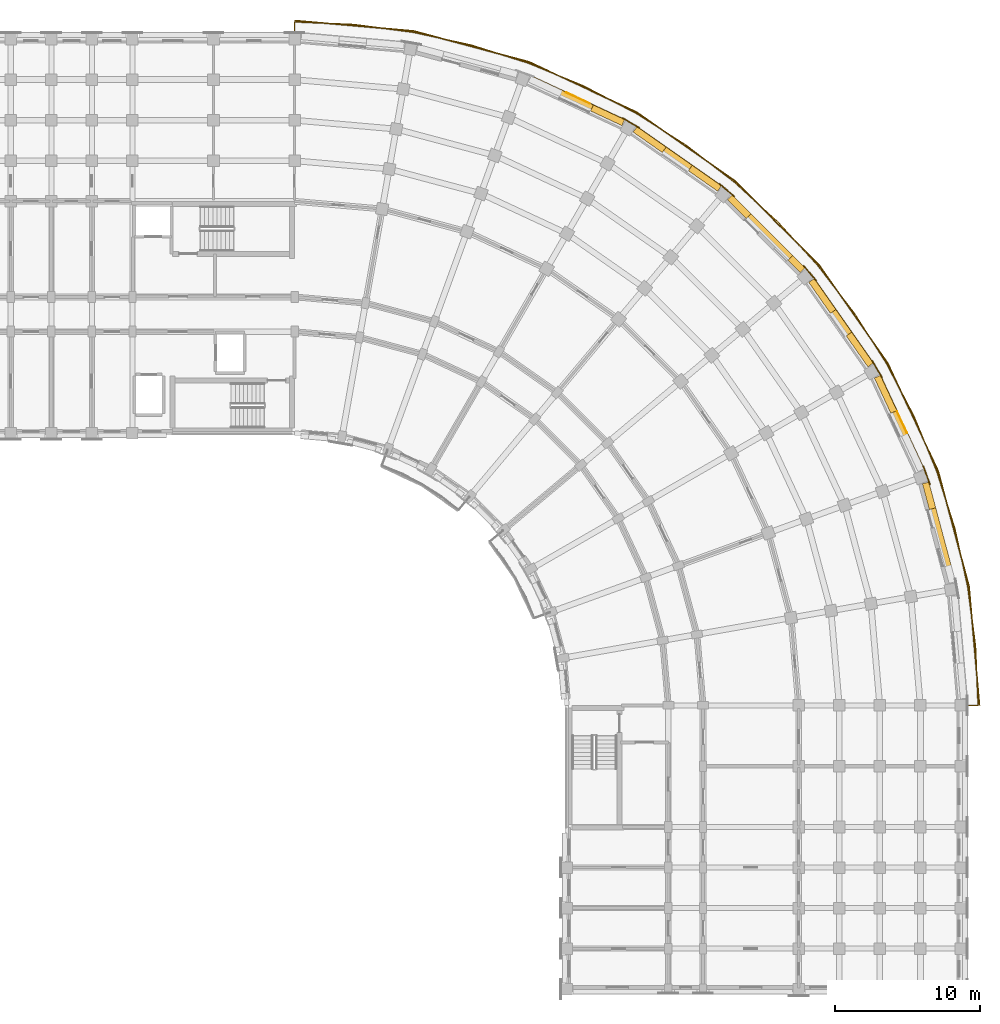
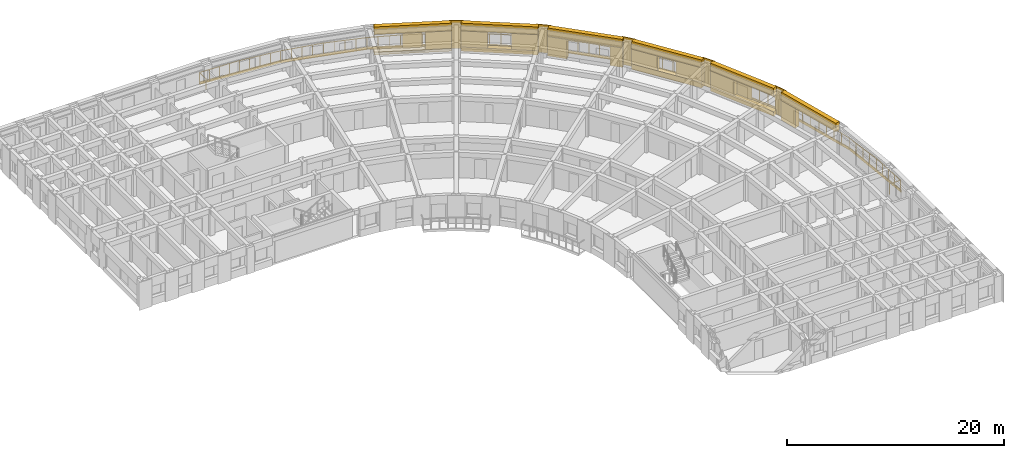
# One storey, part 73 of 76: 25 coverings, 2 shading devices, 1 railing.
"""IFC4 building model written with IfcOpenShell, lengths in metres."""

from ifc_helpers import new_model, si_unit, direction, frame, origin, origin_2d, place, context, subcontext, project, spatial, polyline, rectangle, circle, outline, extrude, material, layer, layer_set, type_object, element, save


model = new_model("IFC4")

# Units and contexts
model_context = context("Model", 3, precision=1e-05, world=origin(), true_north=direction((0.0, 1.0)))
body_context = subcontext(model_context, "Body", "Model", "MODEL_VIEW")
ifc_project = project(units=[si_unit("LENGTHUNIT", "METRE"), si_unit("AREAUNIT", "SQUARE_METRE"), si_unit("VOLUMEUNIT", "CUBIC_METRE"), si_unit("PLANEANGLEUNIT", "RADIAN"), si_unit("MASSUNIT", "GRAM", prefix="KILO")], contexts=[model_context])

# Site, building, storey
site_placement = place(None, origin())
site = spatial("IfcSite", under=ifc_project, at=site_placement, CompositionType="ELEMENT")
building_placement = place(site_placement, origin())
building = spatial("IfcBuilding", under=site, at=building_placement, Name="Kiranvali Square Residences", CompositionType="ELEMENT")
storey_placement = place(building_placement, frame((0.0, 0.0, 8.699951171875)))
storey = spatial("IfcBuildingStorey", under=building, at=storey_placement, Name="L02", CompositionType="ELEMENT", Elevation=8.699951171875)

# Coverings
ifc_material_1 = material(Name="Carved Porbandar limestone classical entablature and cornice", Category="masonry")
ifc_layer_1 = layer(ifc_material_1, 0.072021484375)
ifc_layer_set_1 = layer_set([ifc_layer_1], Name="Carved Porbandar limestone classical entablature and cornice")
covering_type_1 = type_object("IfcCoveringType", Name="COV-CLAD-BAL", PredefinedType="CLADDING", material=ifc_layer_set_1)
covering_1_placement = place(storey_placement, frame((0.0, 0.0, -0.239990234375)))
element("IfcCovering", 1, at=covering_1_placement, inside=storey, type_object=covering_type_1, Name="Block B L02 continuous curved limestone balcony fascia", PredefinedType="CLADDING", context=body_context, shape_type="SweptSolid", body=[
    extrude(outline(polyline([(119.800048828125, 135.052001953125), (128.005126953125, 134.334228515625), (135.961181640625, 132.202392578125), (143.426025390625, 128.721435546875), (150.173095703125, 123.9970703125), (155.9970703125, 118.173095703125), (160.721435546875, 111.426025390625), (164.202392578125, 103.961181640625), (166.334228515625, 96.005126953125), (167.052001953125, 87.800048828125), (167.117919921875, 87.800048828125), (166.399169921875, 96.0166015625), (164.264404296875, 103.983642578125), (160.778564453125, 111.458984375), (156.047607421875, 118.21533203125), (150.21533203125, 124.047607421875), (143.458984375, 128.778564453125), (135.983642578125, 132.264404296875), (128.0166015625, 134.399169921875), (119.800048828125, 135.117919921875), (119.800048828125, 135.052001953125)])), origin(), (0.0, 0.0, 1.0), 0.300048828125),
])
ifc_material_2 = material(Name="Honed Porbandar limestone ashlar facade cladding", Category="masonry")
ifc_layer_2 = layer(ifc_material_2, 0.3798828125)
ifc_layer_set_2 = layer_set([ifc_layer_2], Name="Honed Porbandar limestone ashlar facade cladding")
covering_type_2 = type_object("IfcCoveringType", Name="COV-CLAD-JAMB", PredefinedType="CLADDING", material=ifc_layer_set_2)
covering_2_placement = place(storey_placement, frame((0.0, 0.0, 0.322021484375)))
element("IfcCovering", 2, at=covering_2_placement, inside=storey, type_object=covering_type_2, Name="L02 deep limestone window jamb reveal B-L02-CRV-02.R", PredefinedType="CLADDING", context=body_context, shape_type="SweptSolid", body=[
    extrude(outline(polyline([(140.231689453125, 128.83544921875), (142.392333984375, 127.827880859375), (142.586669921875, 128.244140625), (140.42578125, 129.251953125), (140.231689453125, 128.83544921875)])), origin(), (0.0, 0.0, 1.0), 1.949951171875),
])
covering_3_placement = place(storey_placement, frame((0.0, 0.0, 0.47216796875)))
element("IfcCovering", 3, at=covering_3_placement, inside=storey, type_object=covering_type_2, Name="L02 deep limestone window jamb reveal B-L02-CRV-03.L", PredefinedType="CLADDING", context=body_context, shape_type="SweptSolid", body=[
    extrude(outline(polyline([(143.1689453125, 127.37939453125), (145.183349609375, 125.968994140625), (145.44677734375, 126.345458984375), (143.432373046875, 127.755859375), (143.1689453125, 127.37939453125)])), origin(), (0.0, 0.0, 1.0), 1.7998046875),
])
covering_4_placement = place(storey_placement, frame((0.0, 0.0, 0.47216796875)))
element("IfcCovering", 4, at=covering_4_placement, inside=storey, type_object=covering_type_2, Name="L02 deep limestone window jamb reveal B-L02-CRV-03.R", PredefinedType="CLADDING", context=body_context, shape_type="SweptSolid", body=[
    extrude(outline(polyline([(146.9853515625, 124.70703125), (149.0, 123.296630859375), (149.263427734375, 123.6728515625), (147.2490234375, 125.08349609375), (146.9853515625, 124.70703125)])), origin(), (0.0, 0.0, 1.0), 1.7998046875),
])
covering_5_placement = place(storey_placement, origin())
element("IfcCovering", 5, at=covering_5_placement, inside=storey, type_object=covering_type_2, Name="L02 deep limestone window jamb reveal B-L02-CRV-04.L", PredefinedType="CLADDING", context=body_context, shape_type="SweptSolid", body=[
    extrude(outline(polyline([(149.686767578125, 122.72021484375), (150.98876953125, 121.418212890625), (151.313720703125, 121.742919921875), (150.01171875, 123.045166015625), (149.686767578125, 122.72021484375)])), origin(), (0.0, 0.0, 1.0), 2.179931640625),
])
covering_6_placement = place(storey_placement, origin())
element("IfcCovering", 6, at=covering_6_placement, inside=storey, type_object=covering_type_2, Name="L02 deep limestone window jamb reveal B-L02-CRV-04.R", PredefinedType="CLADDING", context=body_context, shape_type="SweptSolid", body=[
    extrude(outline(polyline([(153.87109375, 118.535888671875), (154.72021484375, 117.686767578125), (155.045166015625, 118.01171875), (154.196044921875, 118.86083984375), (153.87109375, 118.535888671875)])), origin(), (0.0, 0.0, 1.0), 2.179931640625),
])
covering_7_placement = place(storey_placement, frame((0.0, 0.0, 0.6220703125)))
element("IfcCovering", 7, at=covering_7_placement, inside=storey, type_object=covering_type_2, Name="L02 deep limestone window jamb reveal B-L02-CRV-05.L", PredefinedType="CLADDING", context=body_context, shape_type="SweptSolid", body=[
    extrude(outline(polyline([(155.296630859375, 117.0), (156.793212890625, 114.862548828125), (157.16943359375, 115.126220703125), (155.6728515625, 117.263427734375), (155.296630859375, 117.0)])), origin(), (0.0, 0.0, 1.0), 1.64990234375),
])
covering_8_placement = place(storey_placement, frame((0.0, 0.0, 0.6220703125)))
element("IfcCovering", 8, at=covering_8_placement, inside=storey, type_object=covering_type_2, Name="L02 deep limestone window jamb reveal B-L02-CRV-05.R", PredefinedType="CLADDING", context=body_context, shape_type="SweptSolid", body=[
    extrude(outline(polyline([(157.8828125, 113.30615234375), (159.37939453125, 111.1689453125), (159.755859375, 111.432373046875), (158.25927734375, 113.56982421875), (157.8828125, 113.30615234375)])), origin(), (0.0, 0.0, 1.0), 1.64990234375),
])
covering_9_placement = place(storey_placement, frame((0.0, 0.0, 0.52197265625)))
element("IfcCovering", 9, at=covering_9_placement, inside=storey, type_object=covering_type_2, Name="L02 deep limestone window jamb reveal B-L02-CRV-06.L", PredefinedType="CLADDING", context=body_context, shape_type="SweptSolid", body=[
    extrude(outline(polyline([(159.827880859375, 110.392333984375), (160.962158203125, 107.959716796875), (161.378662109375, 108.15380859375), (160.244140625, 110.586669921875), (159.827880859375, 110.392333984375)])), origin(), (0.0, 0.0, 1.0), 1.75),
])
covering_10_placement = place(storey_placement, origin())
element("IfcCovering", 10, at=covering_10_placement, inside=storey, type_object=covering_type_2, Name="L02 deep limestone window jamb reveal B-L02-CRV-07.L", PredefinedType="CLADDING", context=body_context, shape_type="SweptSolid", body=[
    extrude(outline(polyline([(163.142822265625, 103.098388671875), (163.619384765625, 101.31982421875), (164.063232421875, 101.438720703125), (163.586669921875, 103.21728515625), (163.142822265625, 103.098388671875)])), origin(), (0.0, 0.0, 1.0), 2.179931640625),
])
ifc_layer_3 = layer(ifc_material_2, 0.06494140625)
ifc_layer_set_3 = layer_set([ifc_layer_3], Name="Honed Porbandar limestone ashlar facade cladding")
covering_type_3 = type_object("IfcCoveringType", Name="COV-CLAD-PIER", PredefinedType="CLADDING", material=ifc_layer_set_3)
covering_11_placement = place(storey_placement, frame((0.0, 0.0, 0.005126953125)))
element("IfcCovering", 11, at=covering_11_placement, inside=storey, type_object=covering_type_3, Name="L02 Classical limestone corner pilaster CLAD-PR-B-L02-A03", PredefinedType="CLADDING", context=body_context, shape_type="SweptSolid", body=[
    extrude(outline(polyline([(143.622802734375, 127.702392578125), (142.445068359375, 128.382568359375), (142.411376953125, 128.323974609375), (143.589111328125, 127.64404296875), (143.622802734375, 127.702392578125)])), origin(), (0.0, 0.0, 1.0), 3.139892578125),
])
covering_12_placement = place(storey_placement, frame((0.0, 0.0, 0.005126953125)))
element("IfcCovering", 12, at=covering_12_placement, inside=storey, type_object=covering_type_3, Name="L02 Classical limestone corner pilaster CLAD-PR-B-L02-A04", PredefinedType="CLADDING", context=body_context, shape_type="SweptSolid", body=[
    extrude(outline(polyline([(150.18994140625, 122.95947265625), (149.148193359375, 123.833740234375), (149.104736328125, 123.781982421875), (150.146484375, 122.90771484375), (150.18994140625, 122.95947265625)])), origin(), (0.0, 0.0, 1.0), 3.139892578125),
])
covering_13_placement = place(storey_placement, frame((0.0, 0.0, 0.005126953125)))
element("IfcCovering", 13, at=covering_13_placement, inside=storey, type_object=covering_type_3, Name="L02 Classical limestone corner pilaster CLAD-PR-B-L02-A05", PredefinedType="CLADDING", context=body_context, shape_type="SweptSolid", body=[
    extrude(outline(polyline([(155.833740234375, 117.148193359375), (154.95947265625, 118.18994140625), (154.90771484375, 118.146484375), (155.781982421875, 117.104736328125), (155.833740234375, 117.148193359375)])), origin(), (0.0, 0.0, 1.0), 3.139892578125),
])
covering_14_placement = place(storey_placement, frame((0.0, 0.0, 0.005126953125)))
element("IfcCovering", 14, at=covering_14_placement, inside=storey, type_object=covering_type_3, Name="L02 Classical limestone corner pilaster CLAD-PR-B-L02-A06", PredefinedType="CLADDING", context=body_context, shape_type="SweptSolid", body=[
    extrude(outline(polyline([(160.382568359375, 110.445068359375), (159.702392578125, 111.622802734375), (159.64404296875, 111.589111328125), (160.323974609375, 110.411376953125), (160.382568359375, 110.445068359375)])), origin(), (0.0, 0.0, 1.0), 3.139892578125),
])
covering_15_placement = place(storey_placement, frame((0.0, 0.0, 0.005126953125)))
element("IfcCovering", 15, at=covering_15_placement, inside=storey, type_object=covering_type_3, Name="L02 Classical limestone corner pilaster CLAD-PR-B-L02-A07", PredefinedType="CLADDING", context=body_context, shape_type="SweptSolid", body=[
    extrude(outline(polyline([(163.6982421875, 103.053955078125), (163.233154296875, 104.33203125), (163.169677734375, 104.308837890625), (163.634765625, 103.031005859375), (163.6982421875, 103.053955078125)])), origin(), (0.0, 0.0, 1.0), 3.139892578125),
])
ifc_layer_4 = layer(ifc_material_2, 0.360107421875)
ifc_layer_set_4 = layer_set([ifc_layer_4], Name="Honed Porbandar limestone ashlar facade cladding")
covering_type_4 = type_object("IfcCoveringType", Name="COV-CLAD-WALL", PredefinedType="CLADDING", material=ifc_layer_set_4)
covering_16_placement = place(storey_placement, frame((0.0, 0.0, 2.27197265625)))
element("IfcCovering", 16, at=covering_16_placement, inside=storey, type_object=covering_type_4, Name="L02 light limestone spandrel lintel B-L02-CRV-02", PredefinedType="CLADDING", context=body_context, shape_type="SweptSolid", body=[
    extrude(outline(polyline([(135.94091796875, 130.836181640625), (142.392333984375, 127.827880859375), (142.586669921875, 128.244140625), (136.13525390625, 131.252685546875), (135.94091796875, 130.836181640625)])), origin(), (0.0, 0.0, 1.0), 0.873046875),
])
covering_17_placement = place(storey_placement, frame((0.0, 0.0, 0.005126953125)))
element("IfcCovering", 17, at=covering_17_placement, inside=storey, type_object=covering_type_4, Name="L02 limestone window sill apron B-L02-CRV-02", PredefinedType="CLADDING", context=body_context, shape_type="SweptSolid", body=[
    extrude(outline(polyline([(135.94091796875, 130.836181640625), (142.392333984375, 127.827880859375), (142.59912109375, 128.271484375), (136.14794921875, 131.27978515625), (135.94091796875, 130.836181640625)])), origin(), (0.0, 0.0, 1.0), 0.31689453125),
])
covering_18_placement = place(storey_placement, frame((0.0, 0.0, 2.27197265625)))
element("IfcCovering", 18, at=covering_18_placement, inside=storey, type_object=covering_type_4, Name="L02 light limestone spandrel lintel B-L02-CRV-03", PredefinedType="CLADDING", context=body_context, shape_type="SweptSolid", body=[
    extrude(outline(polyline([(143.1689453125, 127.37939453125), (149.0, 123.296630859375), (149.263427734375, 123.6728515625), (143.432373046875, 127.755859375), (143.1689453125, 127.37939453125)])), origin(), (0.0, 0.0, 1.0), 0.873046875),
])
covering_19_placement = place(storey_placement, frame((0.0, 0.0, 0.005126953125)))
element("IfcCovering", 19, at=covering_19_placement, inside=storey, type_object=covering_type_4, Name="L02 limestone window sill apron B-L02-CRV-03", PredefinedType="CLADDING", context=body_context, shape_type="SweptSolid", body=[
    extrude(outline(polyline([(143.1689453125, 127.37939453125), (149.0, 123.296630859375), (149.28076171875, 123.697509765625), (143.44970703125, 127.780517578125), (143.1689453125, 127.37939453125)])), origin(), (0.0, 0.0, 1.0), 0.467041015625),
])
covering_20_placement = place(storey_placement, frame((0.0, 0.0, 2.179931640625)))
element("IfcCovering", 20, at=covering_20_placement, inside=storey, type_object=covering_type_4, Name="L02 light limestone spandrel lintel B-L02-CRV-04", PredefinedType="CLADDING", context=body_context, shape_type="SweptSolid", body=[
    extrude(outline(polyline([(149.686767578125, 122.72021484375), (154.72021484375, 117.686767578125), (155.045166015625, 118.01171875), (150.01171875, 123.045166015625), (149.686767578125, 122.72021484375)])), origin(), (0.0, 0.0, 1.0), 0.965087890625),
])
covering_21_placement = place(storey_placement, frame((0.0, 0.0, 2.27197265625)))
element("IfcCovering", 21, at=covering_21_placement, inside=storey, type_object=covering_type_4, Name="L02 light limestone spandrel lintel B-L02-CRV-05", PredefinedType="CLADDING", context=body_context, shape_type="SweptSolid", body=[
    extrude(outline(polyline([(155.296630859375, 117.0), (159.37939453125, 111.1689453125), (159.755859375, 111.432373046875), (155.6728515625, 117.263427734375), (155.296630859375, 117.0)])), origin(), (0.0, 0.0, 1.0), 0.873046875),
])
covering_22_placement = place(storey_placement, frame((0.0, 0.0, 0.005126953125)))
element("IfcCovering", 22, at=covering_22_placement, inside=storey, type_object=covering_type_4, Name="L02 limestone window sill apron B-L02-CRV-05", PredefinedType="CLADDING", context=body_context, shape_type="SweptSolid", body=[
    extrude(outline(polyline([(155.296630859375, 117.0), (159.37939453125, 111.1689453125), (159.780517578125, 111.44970703125), (155.697509765625, 117.28076171875), (155.296630859375, 117.0)])), origin(), (0.0, 0.0, 1.0), 0.616943359375),
])
covering_23_placement = place(storey_placement, frame((0.0, 0.0, 2.27197265625)))
element("IfcCovering", 23, at=covering_23_placement, inside=storey, type_object=covering_type_4, Name="L02 light limestone spandrel lintel B-L02-CRV-06", PredefinedType="CLADDING", context=body_context, shape_type="SweptSolid", body=[
    extrude(outline(polyline([(159.827880859375, 110.392333984375), (162.836181640625, 103.94091796875), (163.252685546875, 104.13525390625), (160.244140625, 110.586669921875), (159.827880859375, 110.392333984375)])), origin(), (0.0, 0.0, 1.0), 0.873046875),
])
covering_24_placement = place(storey_placement, frame((0.0, 0.0, 0.005126953125)))
element("IfcCovering", 24, at=covering_24_placement, inside=storey, type_object=covering_type_4, Name="L02 limestone window sill apron B-L02-CRV-06", PredefinedType="CLADDING", context=body_context, shape_type="SweptSolid", body=[
    extrude(outline(polyline([(159.827880859375, 110.392333984375), (162.836181640625, 103.94091796875), (163.27978515625, 104.14794921875), (160.271484375, 110.59912109375), (159.827880859375, 110.392333984375)])), origin(), (0.0, 0.0, 1.0), 0.516845703125),
])
covering_25_placement = place(storey_placement, frame((0.0, 0.0, 2.179931640625)))
element("IfcCovering", 25, at=covering_25_placement, inside=storey, type_object=covering_type_4, Name="L02 light limestone spandrel lintel B-L02-CRV-07", PredefinedType="CLADDING", context=body_context, shape_type="SweptSolid", body=[
    extrude(outline(polyline([(163.142822265625, 103.098388671875), (164.985107421875, 96.22265625), (165.428955078125, 96.341552734375), (163.586669921875, 103.21728515625), (163.142822265625, 103.098388671875)])), origin(), (0.0, 0.0, 1.0), 0.965087890625),
])

# Railing
ifc_material_3 = material(Name="Powder-coated architectural bronze balustrade", Category="steel")
railing_type = type_object("IfcRailingType", Name="RL-BAL-GOLD-1200", PredefinedType="BALUSTRADE", material=ifc_material_3)
railing_placement = place(storey_placement, frame((119.800048828125, 133.840087890625, 0.0)))
element("IfcRailing", 26, at=railing_placement, inside=storey, type_object=railing_type, Name="Block B L02 continuous curved corner gold balustrade", PredefinedType="BALUSTRADE", context=body_context, shape_type="SweptSolid", body=[
    extrude(circle(Radius=0.02392578125, at=origin_2d()), frame((0.0, 0.0, 1.17578125), z_axis=(0.0, 1.0, 0.0), x_axis=(-1.0, 0.0, 0.0)), (0.0, 0.0, 1.0), 1.14990234375),
    extrude(circle(Radius=0.02392578125, at=origin_2d()), frame((0.0, 1.14990234375, 1.17578125), z_axis=(0.999049544955, -0.043589066576, 0.0), x_axis=(0.043589066576, 0.999049544955, 0.0)), (0.0, 0.0, 1.0), 4.11669921875),
    extrude(circle(Radius=0.02392578125, at=origin_2d()), frame((4.11279296875, 0.970458984375, 1.17578125), z_axis=(0.991444603928, -0.1305281477, 0.0), x_axis=(0.1305281477, 0.991444603928, 0.0)), (0.0, 0.0, 1.0), 4.11669921875),
    extrude(circle(Radius=0.02392578125, at=origin_2d()), frame((8.1943359375, 0.43310546875, 1.17578125), z_axis=(0.976292989924, -0.216453223181, 0.0), x_axis=(0.216453223181, 0.976292989924, 0.0)), (0.0, 0.0, 1.0), 4.116943359375),
    extrude(circle(Radius=0.02392578125, at=origin_2d()), frame((12.213623046875, -0.4580078125, 1.17578125), z_axis=(0.953710744932, -0.300725481131, 0.0), x_axis=(0.300725481131, 0.953710744932, 0.0)), (0.0, 0.0, 1.0), 4.116943359375),
    extrude(circle(Radius=0.02392578125, at=origin_2d()), frame((16.139892578125, -1.696044921875, 1.17578125), z_axis=(0.923880226262, -0.382681757498, 0.0), x_axis=(0.382681757498, 0.923880226262, 0.0)), (0.0, 0.0, 1.0), 4.116943359375),
    extrude(circle(Radius=0.02392578125, at=origin_2d()), frame((19.943359375, -3.271484375, 1.17578125), z_axis=(0.887013781313, -0.461742949877, 0.0), x_axis=(0.461742949877, 0.887013781313, 0.0)), (0.0, 0.0, 1.0), 4.11669921875),
    extrude(circle(Radius=0.02392578125, at=origin_2d()), frame((23.594970703125, -5.17236328125, 1.17578125), z_axis=(0.843402550976, -0.537282176335, 0.0), x_axis=(0.537282176335, 0.843402550976, 0.0)), (0.0, 0.0, 1.0), 4.116943359375),
    extrude(circle(Radius=0.02392578125, at=origin_2d()), frame((27.067138671875, -7.38427734375, 1.17578125), z_axis=(0.793339967331, -0.608778856594, 0.0), x_axis=(0.608778856594, 0.793339967331, 0.0)), (0.0, 0.0, 1.0), 4.11669921875),
    extrude(circle(Radius=0.02392578125, at=origin_2d()), frame((30.3330078125, -9.890380859375, 1.17578125), z_axis=(0.737299356654, -0.675566176386, 0.0), x_axis=(0.675566176386, 0.737299356654, 0.0)), (0.0, 0.0, 1.0), 4.116943359375),
    extrude(circle(Radius=0.02392578125, at=origin_2d()), frame((33.368408203125, -12.671630859375, 1.17578125), z_axis=(0.675566176386, -0.737299356654, 0.0), x_axis=(0.737299356654, 0.675566176386, 0.0)), (0.0, 0.0, 1.0), 4.116943359375),
    extrude(circle(Radius=0.02392578125, at=origin_2d()), frame((36.149658203125, -15.70703125, 1.17578125), z_axis=(0.608778856594, -0.793339967331, 0.0), x_axis=(0.793339967331, 0.608778856594, 0.0)), (0.0, 0.0, 1.0), 4.11669921875),
    extrude(circle(Radius=0.02392578125, at=origin_2d()), frame((38.65576171875, -18.972900390625, 1.17578125), z_axis=(0.537282176335, -0.843402550976, 0.0), x_axis=(0.843402550976, 0.537282176335, 0.0)), (0.0, 0.0, 1.0), 4.116943359375),
    extrude(circle(Radius=0.02392578125, at=origin_2d()), frame((40.86767578125, -22.445068359375, 1.17578125), z_axis=(0.461742949877, -0.887013781313, 0.0), x_axis=(0.887013781313, 0.461742949877, 0.0)), (0.0, 0.0, 1.0), 4.11669921875),
    extrude(circle(Radius=0.02392578125, at=origin_2d()), frame((42.7685546875, -26.0966796875, 1.17578125), z_axis=(0.382681757498, -0.923880226262, 0.0), x_axis=(0.923880226262, 0.382681757498, 0.0)), (0.0, 0.0, 1.0), 4.116943359375),
    extrude(circle(Radius=0.02392578125, at=origin_2d()), frame((44.343994140625, -29.900146484375, 1.17578125), z_axis=(0.300725481131, -0.953710744932, 0.0), x_axis=(0.953710744932, 0.300725481131, 0.0)), (0.0, 0.0, 1.0), 4.116943359375),
    extrude(circle(Radius=0.02392578125, at=origin_2d()), frame((45.58203125, -33.826416015625, 1.17578125), z_axis=(0.216453223181, -0.976292989924, 0.0), x_axis=(0.976292989924, 0.216453223181, 0.0)), (0.0, 0.0, 1.0), 4.116943359375),
    extrude(circle(Radius=0.02392578125, at=origin_2d()), frame((46.47314453125, -37.845703125, 1.17578125), z_axis=(0.1305281477, -0.991444603928, 0.0), x_axis=(0.991444603928, 0.1305281477, 0.0)), (0.0, 0.0, 1.0), 4.11669921875),
    extrude(circle(Radius=0.02392578125, at=origin_2d()), frame((47.010498046875, -41.92724609375, 1.17578125), z_axis=(0.043589066576, -0.999049544955, 0.0), x_axis=(0.999049544955, 0.043589066576, 0.0)), (0.0, 0.0, 1.0), 4.11669921875),
    extrude(circle(Radius=0.02392578125, at=origin_2d()), frame((47.18994140625, -46.0400390625, 1.17578125), z_axis=(-1.0, 0.0, 0.0), x_axis=(0.0, -1.0, 0.0)), (0.0, 0.0, 1.0), 1.14990234375),
    extrude(circle(Radius=0.02099609375, at=origin_2d()), origin(), (0.0, 0.0, 1.0), 1.15185546875),
    extrude(circle(Radius=0.02099609375, at=origin_2d()), frame((0.0, 1.14990234375, 0.0)), (0.0, 0.0, 1.0), 1.15185546875),
    extrude(circle(Radius=0.02099609375, at=origin_2d()), frame((1.0283203125, 1.10498046875, 0.0)), (0.0, 0.0, 1.0), 1.15185546875),
    extrude(circle(Radius=0.02099609375, at=origin_2d()), frame((2.056396484375, 1.06005859375, 0.0)), (0.0, 0.0, 1.0), 1.15185546875),
    extrude(circle(Radius=0.02099609375, at=origin_2d()), frame((3.08447265625, 1.015380859375, 0.0)), (0.0, 0.0, 1.0), 1.15185546875),
    extrude(circle(Radius=0.02099609375, at=origin_2d()), frame((4.11279296875, 0.970458984375, 0.0)), (0.0, 0.0, 1.0), 1.15185546875),
    extrude(circle(Radius=0.02099609375, at=origin_2d()), frame((5.13330078125, 0.836181640625, 0.0)), (0.0, 0.0, 1.0), 1.15185546875),
    extrude(circle(Radius=0.02099609375, at=origin_2d()), frame((6.153564453125, 0.70166015625, 0.0)), (0.0, 0.0, 1.0), 1.15185546875),
    extrude(circle(Radius=0.02099609375, at=origin_2d()), frame((7.173828125, 0.5673828125, 0.0)), (0.0, 0.0, 1.0), 1.15185546875),
    extrude(circle(Radius=0.02099609375, at=origin_2d()), frame((8.1943359375, 0.43310546875, 0.0)), (0.0, 0.0, 1.0), 1.15185546875),
    extrude(circle(Radius=0.02099609375, at=origin_2d()), frame((9.19921875, 0.21044921875, 0.0)), (0.0, 0.0, 1.0), 1.15185546875),
    extrude(circle(Radius=0.02099609375, at=origin_2d()), frame((10.2041015625, -0.012451171875, 0.0)), (0.0, 0.0, 1.0), 1.15185546875),
    extrude(circle(Radius=0.02099609375, at=origin_2d()), frame((11.208740234375, -0.2353515625, 0.0)), (0.0, 0.0, 1.0), 1.15185546875),
    extrude(circle(Radius=0.02099609375, at=origin_2d()), frame((12.213623046875, -0.4580078125, 0.0)), (0.0, 0.0, 1.0), 1.15185546875),
    extrude(circle(Radius=0.02099609375, at=origin_2d()), frame((13.1953125, -0.767578125, 0.0)), (0.0, 0.0, 1.0), 1.15185546875),
    extrude(circle(Radius=0.02099609375, at=origin_2d()), frame((14.1767578125, -1.0771484375, 0.0)), (0.0, 0.0, 1.0), 1.15185546875),
    extrude(circle(Radius=0.02099609375, at=origin_2d()), frame((15.158203125, -1.386474609375, 0.0)), (0.0, 0.0, 1.0), 1.15185546875),
    extrude(circle(Radius=0.02099609375, at=origin_2d()), frame((16.139892578125, -1.696044921875, 0.0)), (0.0, 0.0, 1.0), 1.15185546875),
    extrude(circle(Radius=0.02099609375, at=origin_2d()), frame((17.0908203125, -2.08984375, 0.0)), (0.0, 0.0, 1.0), 1.15185546875),
    extrude(circle(Radius=0.02099609375, at=origin_2d()), frame((18.04150390625, -2.48388671875, 0.0)), (0.0, 0.0, 1.0), 1.15185546875),
    extrude(circle(Radius=0.02099609375, at=origin_2d()), frame((18.992431640625, -2.877685546875, 0.0)), (0.0, 0.0, 1.0), 1.15185546875),
    extrude(circle(Radius=0.02099609375, at=origin_2d()), frame((19.943359375, -3.271484375, 0.0)), (0.0, 0.0, 1.0), 1.15185546875),
    extrude(circle(Radius=0.02099609375, at=origin_2d()), frame((20.856201171875, -3.74658203125, 0.0)), (0.0, 0.0, 1.0), 1.15185546875),
    extrude(circle(Radius=0.02099609375, at=origin_2d()), frame((21.76904296875, -4.221923828125, 0.0)), (0.0, 0.0, 1.0), 1.15185546875),
    extrude(circle(Radius=0.02099609375, at=origin_2d()), frame((22.68212890625, -4.697265625, 0.0)), (0.0, 0.0, 1.0), 1.15185546875),
    extrude(circle(Radius=0.02099609375, at=origin_2d()), frame((23.594970703125, -5.17236328125, 0.0)), (0.0, 0.0, 1.0), 1.15185546875),
    extrude(circle(Radius=0.02099609375, at=origin_2d()), frame((24.462890625, -5.725341796875, 0.0)), (0.0, 0.0, 1.0), 1.15185546875),
    extrude(circle(Radius=0.02099609375, at=origin_2d()), frame((25.3310546875, -6.2783203125, 0.0)), (0.0, 0.0, 1.0), 1.15185546875),
    extrude(circle(Radius=0.02099609375, at=origin_2d()), frame((26.19921875, -6.831298828125, 0.0)), (0.0, 0.0, 1.0), 1.15185546875),
    extrude(circle(Radius=0.02099609375, at=origin_2d()), frame((27.067138671875, -7.38427734375, 0.0)), (0.0, 0.0, 1.0), 1.15185546875),
    extrude(circle(Radius=0.02099609375, at=origin_2d()), frame((27.883544921875, -8.0107421875, 0.0)), (0.0, 0.0, 1.0), 1.15185546875),
    extrude(circle(Radius=0.02099609375, at=origin_2d()), frame((28.7001953125, -8.63720703125, 0.0)), (0.0, 0.0, 1.0), 1.15185546875),
    extrude(circle(Radius=0.02099609375, at=origin_2d()), frame((29.5166015625, -9.263916015625, 0.0)), (0.0, 0.0, 1.0), 1.15185546875),
    extrude(circle(Radius=0.02099609375, at=origin_2d()), frame((30.3330078125, -9.890380859375, 0.0)), (0.0, 0.0, 1.0), 1.15185546875),
    extrude(circle(Radius=0.02099609375, at=origin_2d()), frame((31.091796875, -10.585693359375, 0.0)), (0.0, 0.0, 1.0), 1.15185546875),
    extrude(circle(Radius=0.02099609375, at=origin_2d()), frame((31.8505859375, -11.281005859375, 0.0)), (0.0, 0.0, 1.0), 1.15185546875),
    extrude(circle(Radius=0.02099609375, at=origin_2d()), frame((32.609619140625, -11.976318359375, 0.0)), (0.0, 0.0, 1.0), 1.15185546875),
    extrude(circle(Radius=0.02099609375, at=origin_2d()), frame((33.368408203125, -12.671630859375, 0.0)), (0.0, 0.0, 1.0), 1.15185546875),
    extrude(circle(Radius=0.02099609375, at=origin_2d()), frame((34.063720703125, -13.430419921875, 0.0)), (0.0, 0.0, 1.0), 1.15185546875),
    extrude(circle(Radius=0.02099609375, at=origin_2d()), frame((34.759033203125, -14.189453125, 0.0)), (0.0, 0.0, 1.0), 1.15185546875),
    extrude(circle(Radius=0.02099609375, at=origin_2d()), frame((35.454345703125, -14.9482421875, 0.0)), (0.0, 0.0, 1.0), 1.15185546875),
    extrude(circle(Radius=0.02099609375, at=origin_2d()), frame((36.149658203125, -15.70703125, 0.0)), (0.0, 0.0, 1.0), 1.15185546875),
    extrude(circle(Radius=0.02099609375, at=origin_2d()), frame((36.776123046875, -16.5234375, 0.0)), (0.0, 0.0, 1.0), 1.15185546875),
    extrude(circle(Radius=0.02099609375, at=origin_2d()), frame((37.40283203125, -17.33984375, 0.0)), (0.0, 0.0, 1.0), 1.15185546875),
    extrude(circle(Radius=0.02099609375, at=origin_2d()), frame((38.029296875, -18.156494140625, 0.0)), (0.0, 0.0, 1.0), 1.15185546875),
    extrude(circle(Radius=0.02099609375, at=origin_2d()), frame((38.65576171875, -18.972900390625, 0.0)), (0.0, 0.0, 1.0), 1.15185546875),
    extrude(circle(Radius=0.02099609375, at=origin_2d()), frame((39.208740234375, -19.8408203125, 0.0)), (0.0, 0.0, 1.0), 1.15185546875),
    extrude(circle(Radius=0.02099609375, at=origin_2d()), frame((39.76171875, -20.708984375, 0.0)), (0.0, 0.0, 1.0), 1.15185546875),
    extrude(circle(Radius=0.02099609375, at=origin_2d()), frame((40.314697265625, -21.5771484375, 0.0)), (0.0, 0.0, 1.0), 1.15185546875),
    extrude(circle(Radius=0.02099609375, at=origin_2d()), frame((40.86767578125, -22.445068359375, 0.0)), (0.0, 0.0, 1.0), 1.15185546875),
    extrude(circle(Radius=0.02099609375, at=origin_2d()), frame((41.3427734375, -23.35791015625, 0.0)), (0.0, 0.0, 1.0), 1.15185546875),
    extrude(circle(Radius=0.02099609375, at=origin_2d()), frame((41.818115234375, -24.27099609375, 0.0)), (0.0, 0.0, 1.0), 1.15185546875),
    extrude(circle(Radius=0.02099609375, at=origin_2d()), frame((42.29345703125, -25.183837890625, 0.0)), (0.0, 0.0, 1.0), 1.15185546875),
    extrude(circle(Radius=0.02099609375, at=origin_2d()), frame((42.7685546875, -26.0966796875, 0.0)), (0.0, 0.0, 1.0), 1.15185546875),
    extrude(circle(Radius=0.02099609375, at=origin_2d()), frame((43.162353515625, -27.047607421875, 0.0)), (0.0, 0.0, 1.0), 1.15185546875),
    extrude(circle(Radius=0.02099609375, at=origin_2d()), frame((43.55615234375, -27.99853515625, 0.0)), (0.0, 0.0, 1.0), 1.15185546875),
    extrude(circle(Radius=0.02099609375, at=origin_2d()), frame((43.9501953125, -28.94921875, 0.0)), (0.0, 0.0, 1.0), 1.15185546875),
    extrude(circle(Radius=0.02099609375, at=origin_2d()), frame((44.343994140625, -29.900146484375, 0.0)), (0.0, 0.0, 1.0), 1.15185546875),
    extrude(circle(Radius=0.02099609375, at=origin_2d()), frame((44.653564453125, -30.8818359375, 0.0)), (0.0, 0.0, 1.0), 1.15185546875),
    extrude(circle(Radius=0.02099609375, at=origin_2d()), frame((44.962890625, -31.86328125, 0.0)), (0.0, 0.0, 1.0), 1.15185546875),
    extrude(circle(Radius=0.02099609375, at=origin_2d()), frame((45.2724609375, -32.8447265625, 0.0)), (0.0, 0.0, 1.0), 1.15185546875),
    extrude(circle(Radius=0.02099609375, at=origin_2d()), frame((45.58203125, -33.826416015625, 0.0)), (0.0, 0.0, 1.0), 1.15185546875),
    extrude(circle(Radius=0.02099609375, at=origin_2d()), frame((45.8046875, -34.831298828125, 0.0)), (0.0, 0.0, 1.0), 1.15185546875),
    extrude(circle(Radius=0.02099609375, at=origin_2d()), frame((46.027587890625, -35.8359375, 0.0)), (0.0, 0.0, 1.0), 1.15185546875),
    extrude(circle(Radius=0.02099609375, at=origin_2d()), frame((46.25048828125, -36.8408203125, 0.0)), (0.0, 0.0, 1.0), 1.15185546875),
    extrude(circle(Radius=0.02099609375, at=origin_2d()), frame((46.47314453125, -37.845703125, 0.0)), (0.0, 0.0, 1.0), 1.15185546875),
    extrude(circle(Radius=0.02099609375, at=origin_2d()), frame((46.607421875, -38.8662109375, 0.0)), (0.0, 0.0, 1.0), 1.15185546875),
    extrude(circle(Radius=0.02099609375, at=origin_2d()), frame((46.74169921875, -39.886474609375, 0.0)), (0.0, 0.0, 1.0), 1.15185546875),
    extrude(circle(Radius=0.02099609375, at=origin_2d()), frame((46.876220703125, -40.90673828125, 0.0)), (0.0, 0.0, 1.0), 1.15185546875),
    extrude(circle(Radius=0.02099609375, at=origin_2d()), frame((47.010498046875, -41.92724609375, 0.0)), (0.0, 0.0, 1.0), 1.15185546875),
    extrude(circle(Radius=0.02099609375, at=origin_2d()), frame((47.055419921875, -42.95556640625, 0.0)), (0.0, 0.0, 1.0), 1.15185546875),
    extrude(circle(Radius=0.02099609375, at=origin_2d()), frame((47.10009765625, -43.983642578125, 0.0)), (0.0, 0.0, 1.0), 1.15185546875),
    extrude(circle(Radius=0.02099609375, at=origin_2d()), frame((47.14501953125, -45.01171875, 0.0)), (0.0, 0.0, 1.0), 1.15185546875),
    extrude(circle(Radius=0.02099609375, at=origin_2d()), frame((47.18994140625, -46.0400390625, 0.0)), (0.0, 0.0, 1.0), 1.15185546875),
    extrude(circle(Radius=0.02099609375, at=origin_2d()), frame((46.0400390625, -46.0400390625, 0.0)), (0.0, 0.0, 1.0), 1.15185546875),
])

# Shading devices
ifc_material_4 = material(Name="Pierced buff sandstone architectural mashrabiya solar screen", Category="masonry")
shading_device_type_1 = type_object("IfcShadingDeviceType", Name="SHD-JALI-1800", PredefinedType="JALOUSIE", material=ifc_material_4)
shading_device_1_placement = place(storey_placement, frame((161.730224609375, 107.3525390625, 0.52197265625), z_axis=(0.0, 0.0, 1.0), x_axis=(0.422618261741, -0.906307787037, 0.0)))
element("IfcShadingDevice", 27, at=shading_device_1_placement, inside=storey, type_object=shading_device_type_1, Name="L02 carved stone Mashrabiya screen B-L02-CRV-06", PredefinedType="JALOUSIE", context=body_context, shape_type="SweptSolid", body=[
    extrude(rectangle(XDim=1.64990234375, YDim=0.044921875, at=origin_2d()), origin(), (0.0, 0.0, 1.0), 1.75),
])
shading_device_type_2 = type_object("IfcShadingDeviceType", Name="SHD-JALI-2400", PredefinedType="JALOUSIE", material=ifc_material_4)
shading_device_2_placement = place(storey_placement, frame((139.3525390625, 129.730224609375, 0.322265625), z_axis=(0.0, 0.0, 1.0), x_axis=(0.906307787037, -0.422618261741, 0.0)))
element("IfcShadingDevice", 28, at=shading_device_2_placement, inside=storey, type_object=shading_device_type_2, Name="L02 carved stone Mashrabiya screen B-L02-CRV-02", PredefinedType="JALOUSIE", context=body_context, shape_type="SweptSolid", body=[
    extrude(rectangle(XDim=1.800048828125, YDim=0.044921875, at=origin_2d()), origin(), (0.0, 0.0, 1.0), 1.949951171875),
])

save(model, "model.ifc")
